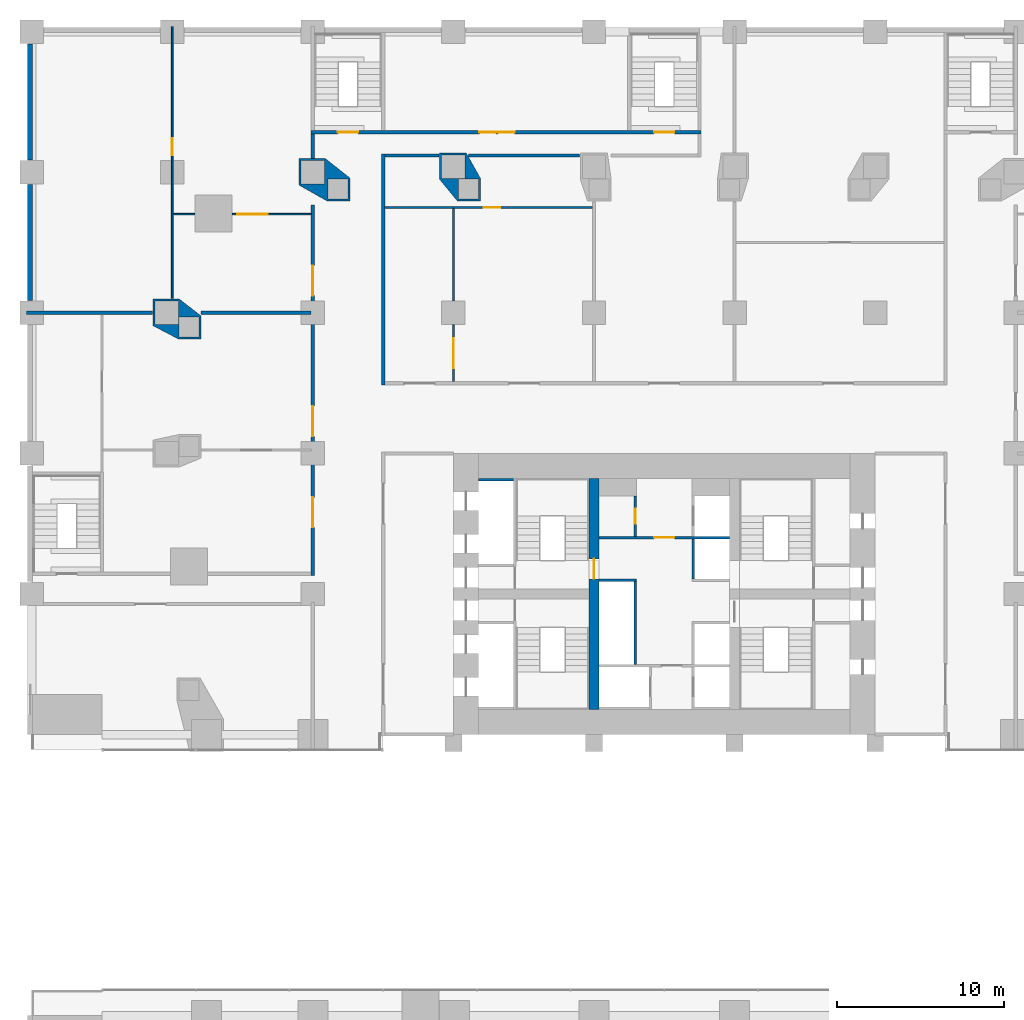
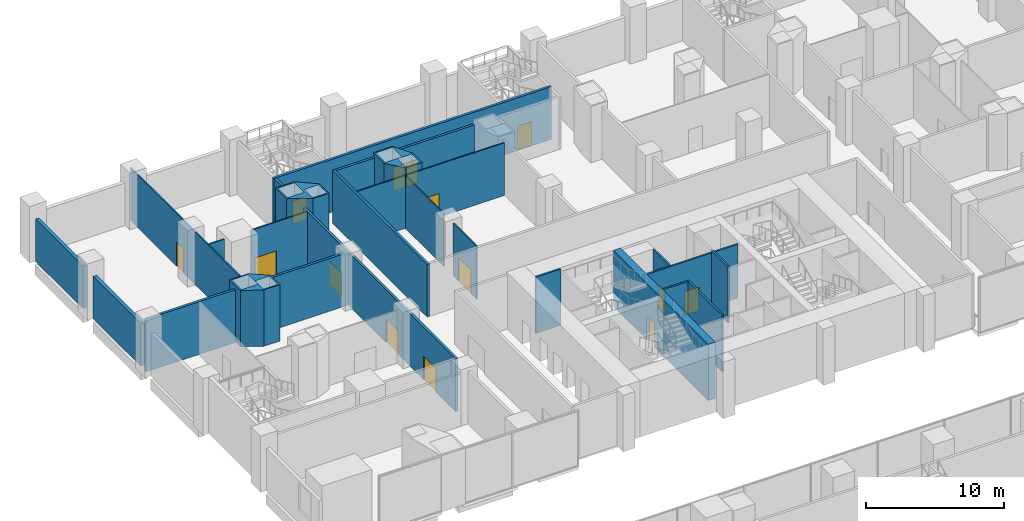
# One storey, part 13 of 24: 26 walls, 14 doors, 14 openings.
"""IFC4 building model written with IfcOpenShell, lengths in metres."""

from ifc_helpers import new_model, si_unit, direction, frame, frame_2d, origin, place, context, subcontext, project, spatial, polyline, rectangle, outline, extrude, material, layer, layer_set, type_object, element, fill, save


model = new_model("IFC4")

# Units and contexts
model_context = context("Model", 3, precision=1e-05, world=origin(), true_north=direction((0.0, 1.0)))
body_context = subcontext(model_context, "Body", "Model", "MODEL_VIEW")
ifc_project = project(units=[si_unit("LENGTHUNIT", "METRE"), si_unit("AREAUNIT", "SQUARE_METRE"), si_unit("VOLUMEUNIT", "CUBIC_METRE"), si_unit("PLANEANGLEUNIT", "RADIAN"), si_unit("MASSUNIT", "GRAM", prefix="KILO")], contexts=[model_context])

# Site, building, storey
site_placement = place(None, origin())
site = spatial("IfcSite", under=ifc_project, at=site_placement, CompositionType="ELEMENT")
building_placement = place(site_placement, origin())
building = spatial("IfcBuilding", under=site, at=building_placement, Name="Marenta Gate Hotel Tower", CompositionType="ELEMENT")
storey_placement = place(building_placement, frame((0.0, 0.0, 8.0)))
storey = spatial("IfcBuildingStorey", under=building, at=storey_placement, Name="L01", CompositionType="ELEMENT", Elevation=8.0)

# Walls
ifc_material_1 = material(Name="Concrete C40 board-marked", Category="concrete")
ifc_layer_1 = layer(ifc_material_1, 0.300048828125)
ifc_layer_set_1 = layer_set([ifc_layer_1], Name="Concrete C40 board-marked")
wall_type_1 = type_object("IfcWallType", Name="Board-marked concrete wall 300 mm", PredefinedType="NOTDEFINED", material=ifc_layer_set_1)
wall_1_placement = place(storey_placement, frame((-37.889892578125, 41.260009765625, 0.0), z_axis=(0.0, 0.0, 1.0), x_axis=(0.0, -1.0, 0.0)))
element("IfcWall", 1, at=wall_1_placement, inside=storey, type_object=wall_type_1, Name="L01-CLD-NB-W000", PredefinedType="NOTDEFINED", context=body_context, shape_type="SweptSolid", body=[
    extrude(rectangle(XDim=6.919921875, YDim=0.300048828125, at=frame_2d((3.4599609375, 0.0))), origin(), (0.0, 0.0, 1.0), 3.780029296875),
])
wall_2_placement = place(storey_placement, frame((-37.889892578125, 32.860107421875, 0.0), z_axis=(0.0, 0.0, 1.0), x_axis=(0.0, -1.0, 0.0)))
element("IfcWall", 2, at=wall_2_placement, inside=storey, type_object=wall_type_1, Name="L01-CLD-NB-W001", PredefinedType="NOTDEFINED", context=body_context, shape_type="SweptSolid", body=[
    extrude(rectangle(XDim=6.920166015625, YDim=0.300048828125, at=frame_2d((3.4599609375, 0.0))), origin(), (0.0, 0.0, 1.0), 3.780029296875),
])

# Wall, opening, door
ifc_material_2 = material(Name="Concrete blockwork", Category="masonry")
ifc_layer_2 = layer(ifc_material_2, 0.14990234375)
ifc_layer_set_2 = layer_set([ifc_layer_2], Name="Concrete blockwork")
wall_type_2 = type_object("IfcWallType", Name="Core lobby partition 150 REI 180", PredefinedType="PARTITIONING", material=ifc_layer_set_2)
wall_3_placement = place(storey_placement, frame((-3.89990234375, 11.77490234375, 0.0), z_axis=(0.0, 0.0, 1.0), x_axis=(1.0, 0.0, 0.0)))
wall_3 = element("IfcWall", 3, at=wall_3_placement, inside=storey, type_object=wall_type_2, Name="L01-CP-CW-N", PredefinedType="PARTITIONING", context=body_context, shape_type="SweptSolid", body=[
    extrude(rectangle(XDim=7.7998046875, YDim=0.14990234375, at=frame_2d((3.89990234375, 0.0))), origin(), (0.0, 0.0, 1.0), 4.780029296875),
])
opening_1_placement = place(wall_3_placement, frame((3.300048828125, 0.0, 0.0)))
opening_1 = element("IfcOpeningElement", 4, at=opening_1_placement, cuts=wall_3, Name="Opening FD-FFN", PredefinedType="OPENING", context=body_context, shape_type="SweptSolid", body=[
    extrude(rectangle(XDim=1.199951171875, YDim=2.10009765625, at=frame_2d((0.60009765625, 1.050048828125))), frame((0.0, 0.074951171875, 0.0), z_axis=(0.0, -1.0, 0.0), x_axis=(1.0, 0.0, 0.0)), (0.0, 0.0, 1.0), 0.14990234375),
])
ifc_material_3 = material(Name="Steel", Category="steel")
door_type_1 = type_object("IfcDoorType", Name="Core lobby door 1200x2100 FD60", OperationType="SINGLE_SWING_LEFT", PredefinedType="DOOR", material=ifc_material_3)
door_1_placement = place(opening_1_placement, origin())
door_1 = element("IfcDoor", 5, at=door_1_placement, inside=storey, type_object=door_type_1, Name="FD-FFN", OperationType="SINGLE_SWING_LEFT", OverallHeight=2.10009765625, OverallWidth=1.199951171875, PredefinedType="DOOR", context=body_context, shape_type="SweptSolid", body=[
    extrude(rectangle(XDim=1.199951171875, YDim=2.10009765625, at=frame_2d((0.60009765625, 1.050048828125))), frame((0.0, 0.02490234375, 0.0), z_axis=(0.0, -1.0, 0.0), x_axis=(1.0, 0.0, 0.0)), (0.0, 0.0, 1.0), 0.050048828125),
])
fill(opening_1, door_1)

ifc_material_4 = material(Name="Concrete blockwork", Category="masonry")
ifc_layer_3 = layer(ifc_material_4, 0.14990234375)
ifc_layer_set_3 = layer_set([ifc_layer_3], Name="Concrete blockwork")
wall_type_3 = type_object("IfcWallType", Name="Core room partition 150 REI 180", PredefinedType="PARTITIONING", material=ifc_layer_set_3)
wall_4_placement = place(storey_placement, frame((-1.72509765625, 11.85009765625, 0.0), z_axis=(0.0, 0.0, 1.0), x_axis=(0.0, 1.0, 0.0)))
wall_4 = element("IfcWall", 6, at=wall_4_placement, inside=storey, type_object=wall_type_3, Name="L01-CP-CW-W-riser-front", PredefinedType="PARTITIONING", context=body_context, shape_type="SweptSolid", body=[
    extrude(rectangle(XDim=2.39990234375, YDim=0.14990234375, at=frame_2d((1.199951171875, 0.0))), origin(), (0.0, 0.0, 1.0), 4.780029296875),
])
opening_2_placement = place(wall_4_placement, frame((0.75, 0.0, 0.0)))
opening_2 = element("IfcOpeningElement", 7, at=opening_2_placement, cuts=wall_4, Name="Opening RD-CRISER", PredefinedType="OPENING", context=body_context, shape_type="SweptSolid", body=[
    extrude(rectangle(XDim=0.89990234375, YDim=2.10009765625, at=frame_2d((0.449951171875, 1.050048828125))), frame((0.0, 0.074951171875, 0.0), z_axis=(0.0, -1.0, 0.0), x_axis=(1.0, 0.0, 0.0)), (0.0, 0.0, 1.0), 0.14990234375),
])
ifc_material_5 = material(Name="Steel", Category="steel")
door_type_2 = type_object("IfcDoorType", Name="Core riser door 900x2100 FD60", OperationType="SINGLE_SWING_LEFT", PredefinedType="DOOR", material=ifc_material_5)
door_2_placement = place(opening_2_placement, origin())
door_2 = element("IfcDoor", 8, at=door_2_placement, inside=storey, type_object=door_type_2, Name="RD-CRISER", OperationType="SINGLE_SWING_LEFT", OverallHeight=2.10009765625, OverallWidth=0.89990234375, PredefinedType="DOOR", context=body_context, shape_type="SweptSolid", body=[
    extrude(rectangle(XDim=0.89990234375, YDim=2.10009765625, at=frame_2d((0.449951171875, 1.050048828125))), frame((0.0, 0.02490234375, 0.0), z_axis=(0.0, -1.0, 0.0), x_axis=(1.0, 0.0, 0.0)), (0.0, 0.0, 1.0), 0.050048828125),
])
fill(opening_2, door_2)

# Walls
ifc_material_6 = material(Name="Concrete C40", Category="concrete")
ifc_layer_4 = layer(ifc_material_6, 0.14990234375)
ifc_layer_set_4 = layer_set([ifc_layer_4], Name="Concrete C40")
wall_type_4 = type_object("IfcWallType", Name="Core shaft wall 150 REI 180", PredefinedType="SHEAR", material=ifc_layer_set_4)
wall_5_placement = place(storey_placement, frame((-11.10009765625, 15.22509765625, 0.0), z_axis=(0.0, 0.0, 1.0), x_axis=(1.0, 0.0, 0.0)))
element("IfcWall", 9, at=wall_5_placement, inside=storey, type_object=wall_type_4, Name="L01-SHF-SW-WN-5", PredefinedType="SHEAR", context=body_context, shape_type="SweptSolid", body=[
    extrude(rectangle(XDim=2.10009765625, YDim=0.14990234375, at=frame_2d((1.050048828125, 0.0))), origin(), (0.0, 0.0, 1.0), 5.0),
])
wall_6_placement = place(storey_placement, frame((-1.72509765625, 4.199951171875, 0.0), z_axis=(0.0, 0.0, 1.0), x_axis=(0.0, 1.0, 0.0)))
element("IfcWall", 10, at=wall_6_placement, inside=storey, type_object=wall_type_4, Name="L01-SHF-CW-W-front", PredefinedType="SHEAR", context=body_context, shape_type="SweptSolid", body=[
    extrude(rectangle(XDim=4.949951171875, YDim=0.14990234375, at=frame_2d((2.47509765625, 0.0))), origin(), (0.0, 0.0, 1.0), 5.0),
])
wall_7_placement = place(storey_placement, frame((-3.89990234375, 9.22509765625, 0.0), z_axis=(0.0, 0.0, 1.0), x_axis=(1.0, 0.0, 0.0)))
element("IfcWall", 11, at=wall_7_placement, inside=storey, type_object=wall_type_4, Name="L01-SHF-CW-W-sep", PredefinedType="SHEAR", context=body_context, shape_type="SweptSolid", body=[
    extrude(rectangle(XDim=2.25, YDim=0.14990234375, at=frame_2d((1.125, 0.0))), origin(), (0.0, 0.0, 1.0), 5.0),
])
wall_8_placement = place(storey_placement, frame((1.72509765625, 9.300048828125, 0.0), z_axis=(0.0, 0.0, 1.0), x_axis=(0.0, 1.0, 0.0)))
element("IfcWall", 12, at=wall_8_placement, inside=storey, type_object=wall_type_4, Name="L01-SHF-CE-front-2", PredefinedType="SHEAR", context=body_context, shape_type="SweptSolid", body=[
    extrude(rectangle(XDim=2.39990234375, YDim=0.14990234375, at=frame_2d((1.199951171875, 0.0))), origin(), (0.0, 0.0, 1.0), 5.0),
])

# Wall, opening, door
ifc_material_7 = material(Name="Concrete C80", Category="concrete")
ifc_layer_5 = layer(ifc_material_7, 0.60009765625)
ifc_layer_set_5 = layer_set([ifc_layer_5], Name="Concrete C80")
wall_type_5 = type_object("IfcWallType", Name="Core web 600 C80", PredefinedType="SHEAR", material=ifc_layer_set_5)
wall_9_placement = place(storey_placement, frame((-4.199951171875, 1.5, 0.0), z_axis=(0.0, 0.0, 1.0), x_axis=(0.0, 1.0, 0.0)))
wall_9 = element("IfcWall", 13, at=wall_9_placement, inside=storey, type_object=wall_type_5, Name="L01-CORE-W1", PredefinedType="SHEAR", context=body_context, shape_type="SweptSolid", body=[
    extrude(rectangle(XDim=13.800048828125, YDim=0.60009765625, at=frame_2d((6.89990234375, 0.0))), origin(), (0.0, 0.0, 1.0), 5.0),
])
opening_3_placement = place(wall_9_placement, frame((7.800048828125, 0.0, 0.0)))
opening_3 = element("IfcOpeningElement", 14, at=opening_3_placement, cuts=wall_9, Name="Opening WD-W", PredefinedType="OPENING", context=body_context, shape_type="SweptSolid", body=[
    extrude(rectangle(XDim=1.199951171875, YDim=2.10009765625, at=frame_2d((0.60009765625, 1.050048828125))), frame((0.0, 0.300048828125, 0.0), z_axis=(0.0, -1.0, 0.0), x_axis=(1.0, 0.0, 0.0)), (0.0, 0.0, 1.0), 0.60009765625),
])
ifc_material_8 = material(Name="Steel", Category="steel")
door_type_3 = type_object("IfcDoorType", Name="Core stair door 1200x2100 FD60", OperationType="SINGLE_SWING_LEFT", PredefinedType="DOOR", material=ifc_material_8)
door_3_placement = place(opening_3_placement, origin())
door_3 = element("IfcDoor", 15, at=door_3_placement, inside=storey, type_object=door_type_3, Name="WD-W", OperationType="SINGLE_SWING_LEFT", OverallHeight=2.10009765625, OverallWidth=1.199951171875, PredefinedType="DOOR", context=body_context, shape_type="SweptSolid", body=[
    extrude(rectangle(XDim=1.199951171875, YDim=2.10009765625, at=frame_2d((0.60009765625, 1.050048828125))), frame((0.0, 0.02490234375, 0.0), z_axis=(0.0, -1.0, 0.0), x_axis=(1.0, 0.0, 0.0)), (0.0, 0.0, 1.0), 0.050048828125),
])
fill(opening_3, door_3)

# Walls
ifc_material_9 = material(Name="Concrete C70", Category="concrete")
ifc_layer_6 = layer(ifc_material_9, 1.60009765625)
ifc_layer_set_6 = layer_set([ifc_layer_6], Name="Concrete C70")
wall_type_6 = type_object("IfcWallType", Name="Pier wall board-marked concrete C70", PredefinedType="SOLIDWALL", material=ifc_layer_set_6)
wall_10_placement = place(storey_placement, origin())
element("IfcWall", 16, at=wall_10_placement, inside=storey, type_object=wall_type_6, Name="L01-PIER-3", PredefinedType="SOLIDWALL", context=body_context, shape_type="SweptSolid", body=[
    extrude(outline(polyline([(-30.5400390625, 24.427490234375), (-30.5400390625, 26.02001953125), (-28.97900390625, 26.02001953125), (-27.679931640625, 25.015380859375), (-27.679931640625, 23.636474609375), (-29.029541015625, 23.636474609375), (-30.5400390625, 24.427490234375)]), holes=[polyline([(-29.0, 23.75634765625), (-27.800048828125, 23.75634765625), (-27.800048828125, 24.956298828125), (-29.0, 24.956298828125), (-29.0, 23.75634765625)]), polyline([(-30.419921875, 24.5), (-29.02001953125, 24.5), (-29.02001953125, 25.89990234375), (-30.419921875, 25.89990234375), (-30.419921875, 24.5)])]), origin(), (0.0, 0.0, 1.0), 5.0),
])
wall_11_placement = place(storey_placement, origin())
element("IfcWall", 17, at=wall_11_placement, inside=storey, type_object=wall_type_6, Name="L01-PIER-4", PredefinedType="SOLIDWALL", context=body_context, shape_type="SweptSolid", body=[
    extrude(outline(polyline([(-21.820068359375, 34.419921875), (-20.25830078125, 34.419921875), (-18.786865234375, 33.258056640625), (-18.786865234375, 31.8798828125), (-20.138427734375, 31.8798828125), (-21.820068359375, 32.830078125), (-21.820068359375, 34.419921875)]), holes=[polyline([(-18.906982421875, 32.0), (-18.906982421875, 33.199951171875), (-20.10693359375, 33.199951171875), (-20.10693359375, 32.0), (-18.906982421875, 32.0)]), polyline([(-20.300048828125, 32.89990234375), (-20.300048828125, 34.300048828125), (-21.699951171875, 34.300048828125), (-21.699951171875, 32.89990234375), (-20.300048828125, 32.89990234375)])]), origin(), (0.0, 0.0, 1.0), 5.0),
])
wall_12_placement = place(storey_placement, origin())
element("IfcWall", 18, at=wall_12_placement, inside=storey, type_object=wall_type_6, Name="L01-PIER-5", PredefinedType="SOLIDWALL", context=body_context, shape_type="SweptSolid", body=[
    extrude(outline(polyline([(-13.419921875, 34.739990234375), (-11.82958984375, 34.739990234375), (-10.984130859375, 33.2314453125), (-10.984130859375, 31.8798828125), (-12.361083984375, 31.8798828125), (-13.419921875, 33.17724609375), (-13.419921875, 34.739990234375)]), holes=[polyline([(-11.10400390625, 32.0), (-11.10400390625, 33.199951171875), (-12.30419921875, 33.199951171875), (-12.30419921875, 32.0), (-11.10400390625, 32.0)]), polyline([(-11.89990234375, 33.219970703125), (-11.89990234375, 34.6201171875), (-13.300048828125, 34.6201171875), (-13.300048828125, 33.219970703125), (-11.89990234375, 33.219970703125)])]), origin(), (0.0, 0.0, 1.0), 5.0),
])
ifc_material_10 = material(Name="Gypsum board on steel stud", Category="steel")
ifc_layer_7 = layer(ifc_material_10, 0.199951171875)
ifc_layer_set_7 = layer_set([ifc_layer_7], Name="Gypsum board on steel stud")
wall_type_7 = type_object("IfcWallType", Name="Room corridor wall 200 EI 60", PredefinedType="PARTITIONING", material=ifc_layer_set_7)
wall_13_placement = place(storey_placement, frame((-16.800048828125, 20.89990234375, 0.0), z_axis=(0.0, 0.0, 1.0), x_axis=(0.0, 1.0, 0.0)))
element("IfcWall", 19, at=wall_13_placement, inside=storey, type_object=wall_type_7, Name="L01-PTN-W042", PredefinedType="PARTITIONING", context=body_context, shape_type="SweptSolid", body=[
    extrude(rectangle(XDim=13.800048828125, YDim=0.199951171875, at=frame_2d((6.89990234375, 0.0))), origin(), (0.0, 0.0, 1.0), 4.679931640625),
])

# Wall, openings, doors
wall_14_placement = place(storey_placement, frame((-21.0, 9.5, 0.0), z_axis=(0.0, 0.0, 1.0), x_axis=(0.0, 1.0, 0.0)))
wall_14 = element("IfcWall", 20, at=wall_14_placement, inside=storey, type_object=wall_type_7, Name="L01-PTN-W050", PredefinedType="PARTITIONING", context=body_context, shape_type="SweptSolid", body=[
    extrude(rectangle(XDim=22.135009765625, YDim=0.199951171875, at=frame_2d((11.0673828125, 0.0))), origin(), (0.0, 0.0, 1.0), 4.679931640625),
])
opening_4_placement = place(wall_14_placement, frame((8.324951171875, 0.0, 0.0)))
opening_4 = element("IfcOpeningElement", 21, at=opening_4_placement, cuts=wall_14, Name="Opening S02-04", PredefinedType="OPENING", context=body_context, shape_type="SweptSolid", body=[
    extrude(rectangle(XDim=1.800048828125, YDim=2.10009765625, at=frame_2d((0.89990234375, 1.050048828125))), frame((0.0, 0.10009765625, 0.0), z_axis=(0.0, -1.0, 0.0), x_axis=(1.0, 0.0, 0.0)), (0.0, 0.0, 1.0), 0.199951171875),
])
opening_5_placement = place(wall_14_placement, frame((2.875, 0.0, 0.0)))
opening_5 = element("IfcOpeningElement", 22, at=opening_5_placement, cuts=wall_14, Name="Opening S02-05", PredefinedType="OPENING", context=body_context, shape_type="SweptSolid", body=[
    extrude(rectangle(XDim=1.800048828125, YDim=2.10009765625, at=frame_2d((0.89990234375, 1.050048828125))), frame((0.0, 0.10009765625, 0.0), z_axis=(0.0, -1.0, 0.0), x_axis=(1.0, 0.0, 0.0)), (0.0, 0.0, 1.0), 0.199951171875),
])
opening_6_placement = place(wall_14_placement, frame((16.72509765625, 0.0, 0.0)))
opening_6 = element("IfcOpeningElement", 23, at=opening_6_placement, cuts=wall_14, Name="Opening S02-07", PredefinedType="OPENING", context=body_context, shape_type="SweptSolid", body=[
    extrude(rectangle(XDim=1.800048828125, YDim=2.10009765625, at=frame_2d((0.89990234375, 1.050048828125))), frame((0.0, 0.10009765625, 0.0), z_axis=(0.0, -1.0, 0.0), x_axis=(1.0, 0.0, 0.0)), (0.0, 0.0, 1.0), 0.199951171875),
])
ifc_material_11 = material(Name="Timber door leaf", Category="wood")
door_type_4 = type_object("IfcDoorType", Name="Room amenity door 1800x2100 EI 30", OperationType="DOUBLE_DOOR_SINGLE_SWING", PredefinedType="DOOR", material=ifc_material_11)
door_4_placement = place(opening_4_placement, origin())
door_4 = element("IfcDoor", 24, at=door_4_placement, inside=storey, type_object=door_type_4, Name="L01-PD-D004", OperationType="DOUBLE_DOOR_SINGLE_SWING", OverallHeight=2.10009765625, OverallWidth=1.800048828125, PredefinedType="DOOR", context=body_context, shape_type="SweptSolid", body=[
    extrude(rectangle(XDim=1.800048828125, YDim=2.10009765625, at=frame_2d((0.89990234375, 1.050048828125))), frame((0.0, 0.02490234375, 0.0), z_axis=(0.0, -1.0, 0.0), x_axis=(1.0, 0.0, 0.0)), (0.0, 0.0, 1.0), 0.050048828125),
])
fill(opening_4, door_4)
door_5_placement = place(opening_5_placement, origin())
door_5 = element("IfcDoor", 25, at=door_5_placement, inside=storey, type_object=door_type_4, Name="L01-PD-D005", OperationType="DOUBLE_DOOR_SINGLE_SWING", OverallHeight=2.10009765625, OverallWidth=1.800048828125, PredefinedType="DOOR", context=body_context, shape_type="SweptSolid", body=[
    extrude(rectangle(XDim=1.800048828125, YDim=2.10009765625, at=frame_2d((0.89990234375, 1.050048828125))), frame((0.0, 0.02490234375, 0.0), z_axis=(0.0, -1.0, 0.0), x_axis=(1.0, 0.0, 0.0)), (0.0, 0.0, 1.0), 0.050048828125),
])
fill(opening_5, door_5)
door_6_placement = place(opening_6_placement, origin())
door_6 = element("IfcDoor", 26, at=door_6_placement, inside=storey, type_object=door_type_4, Name="L01-PD-D007", OperationType="DOUBLE_DOOR_SINGLE_SWING", OverallHeight=2.10009765625, OverallWidth=1.800048828125, PredefinedType="DOOR", context=body_context, shape_type="SweptSolid", body=[
    extrude(rectangle(XDim=1.800048828125, YDim=2.10009765625, at=frame_2d((0.89990234375, 1.050048828125))), frame((0.0, 0.02490234375, 0.0), z_axis=(0.0, -1.0, 0.0), x_axis=(1.0, 0.0, 0.0)), (0.0, 0.0, 1.0), 0.050048828125),
])
fill(opening_6, door_6)

# Walls
wall_15_placement = place(storey_placement, frame((-21.0, 34.419921875, 0.0), z_axis=(0.0, 0.0, 1.0), x_axis=(0.0, 1.0, 0.0)))
element("IfcWall", 27, at=wall_15_placement, inside=storey, type_object=wall_type_7, Name="L01-PTN-W051", PredefinedType="PARTITIONING", context=body_context, shape_type="SweptSolid", body=[
    extrude(rectangle(XDim=1.47998046875, YDim=0.199951171875, at=frame_2d((0.739990234375, 0.0))), origin(), (0.0, 0.0, 1.0), 4.679931640625),
])
ifc_material_12 = material(Name="Concrete blockwork", Category="masonry")
ifc_layer_8 = layer(ifc_material_12, 0.199951171875)
ifc_layer_set_8 = layer_set([ifc_layer_8], Name="Concrete blockwork")
wall_type_8 = type_object("IfcWallType", Name="Room corridor wall 200 REI 180", PredefinedType="PARTITIONING", material=ifc_layer_set_8)
wall_16_placement = place(storey_placement, frame((-16.699951171875, 34.60009765625, 0.0), z_axis=(0.0, 0.0, 1.0), x_axis=(1.0, 0.0, 0.0)))
element("IfcWall", 28, at=wall_16_placement, inside=storey, type_object=wall_type_8, Name="L01-PTN-W071", PredefinedType="PARTITIONING", context=body_context, shape_type="SweptSolid", body=[
    extrude(rectangle(XDim=3.22998046875, YDim=0.199951171875, at=frame_2d((1.614990234375, 0.0))), origin(), (0.0, 0.0, 1.0), 4.679931640625),
])
wall_17_placement = place(storey_placement, frame((-11.694091796875, 34.60009765625, 0.0), z_axis=(0.0, 0.0, 1.0), x_axis=(1.0, 0.0, 0.0)))
element("IfcWall", 29, at=wall_17_placement, inside=storey, type_object=wall_type_8, Name="L01-PTN-W072", PredefinedType="PARTITIONING", context=body_context, shape_type="SweptSolid", body=[
    extrude(rectangle(XDim=6.6240234375, YDim=0.199951171875, at=frame_2d((3.31201171875, 0.0))), origin(), (0.0, 0.0, 1.0), 4.679931640625),
])

# Wall, openings, doors
wall_18_placement = place(storey_placement, frame((-21.10009765625, 36.0, 0.0), z_axis=(0.0, 0.0, 1.0), x_axis=(1.0, 0.0, 0.0)))
wall_18 = element("IfcWall", 30, at=wall_18_placement, inside=storey, type_object=wall_type_8, Name="L01-PTN-W074", PredefinedType="PARTITIONING", context=body_context, shape_type="SweptSolid", body=[
    extrude(rectangle(XDim=23.300048828125, YDim=0.199951171875, at=frame_2d((11.64990234375, 0.0))), origin(), (0.0, 0.0, 1.0), 4.679931640625),
])
opening_7_placement = place(wall_18_placement, frame((1.60009765625, 0.0, 0.0)))
opening_7 = element("IfcOpeningElement", 31, at=opening_7_placement, cuts=wall_18, Name="Opening S02-01", PredefinedType="OPENING", context=body_context, shape_type="SweptSolid", body=[
    extrude(rectangle(XDim=1.199951171875, YDim=2.10009765625, at=frame_2d((0.60009765625, 1.050048828125))), frame((0.0, 0.10009765625, 0.0), z_axis=(0.0, -1.0, 0.0), x_axis=(1.0, 0.0, 0.0)), (0.0, 0.0, 1.0), 0.199951171875),
])
opening_8_placement = place(wall_18_placement, frame((11.14990234375, 0.0, 0.0)))
opening_8 = element("IfcOpeningElement", 32, at=opening_8_placement, cuts=wall_18, Name="Opening S02-20", PredefinedType="OPENING", context=body_context, shape_type="SweptSolid", body=[
    extrude(rectangle(XDim=1.0, YDim=2.10009765625, at=frame_2d((0.5, 1.050048828125))), frame((0.0, 0.10009765625, 0.0), z_axis=(0.0, -1.0, 0.0), x_axis=(1.0, 0.0, 0.0)), (0.0, 0.0, 1.0), 0.199951171875),
])
opening_9_placement = place(wall_18_placement, frame((10.050048828125, 0.0, 0.0)))
opening_9 = element("IfcOpeningElement", 33, at=opening_9_placement, cuts=wall_18, Name="Opening S02-21", PredefinedType="OPENING", context=body_context, shape_type="SweptSolid", body=[
    extrude(rectangle(XDim=1.0, YDim=2.10009765625, at=frame_2d((0.5, 1.050048828125))), frame((0.0, 0.10009765625, 0.0), z_axis=(0.0, -1.0, 0.0), x_axis=(1.0, 0.0, 0.0)), (0.0, 0.0, 1.0), 0.199951171875),
])
opening_10_placement = place(wall_18_placement, frame((20.5, 0.0, 0.0)))
opening_10 = element("IfcOpeningElement", 34, at=opening_10_placement, cuts=wall_18, Name="Opening S02-38", PredefinedType="OPENING", context=body_context, shape_type="SweptSolid", body=[
    extrude(rectangle(XDim=1.199951171875, YDim=2.10009765625, at=frame_2d((0.60009765625, 1.050048828125))), frame((0.0, 0.10009765625, 0.0), z_axis=(0.0, -1.0, 0.0), x_axis=(1.0, 0.0, 0.0)), (0.0, 0.0, 1.0), 0.199951171875),
])
ifc_material_13 = material(Name="Hollow steel door set", Category="steel")
door_type_5 = type_object("IfcDoorType", Name="Podium stair door 1200x2100 EI 60", OperationType="NOTDEFINED", PredefinedType="DOOR", material=ifc_material_13)
door_7_placement = place(opening_7_placement, origin())
door_7 = element("IfcDoor", 35, at=door_7_placement, inside=storey, type_object=door_type_5, Name="L01-PD-D001", OperationType="SINGLE_SWING_RIGHT", OverallHeight=2.10009765625, OverallWidth=1.199951171875, PredefinedType="DOOR", context=body_context, shape_type="SweptSolid", body=[
    extrude(rectangle(XDim=1.199951171875, YDim=2.10009765625, at=frame_2d((0.60009765625, 1.050048828125))), frame((0.0, 0.02490234375, 0.0), z_axis=(0.0, -1.0, 0.0), x_axis=(1.0, 0.0, 0.0)), (0.0, 0.0, 1.0), 0.050048828125),
])
fill(opening_7, door_7)
door_8_placement = place(opening_10_placement, origin())
door_8 = element("IfcDoor", 36, at=door_8_placement, inside=storey, type_object=door_type_5, Name="L01-PD-D038", OperationType="SINGLE_SWING_RIGHT", OverallHeight=2.10009765625, OverallWidth=1.199951171875, PredefinedType="DOOR", context=body_context, shape_type="SweptSolid", body=[
    extrude(rectangle(XDim=1.199951171875, YDim=2.10009765625, at=frame_2d((0.60009765625, 1.050048828125))), frame((0.0, 0.02490234375, 0.0), z_axis=(0.0, -1.0, 0.0), x_axis=(1.0, 0.0, 0.0)), (0.0, 0.0, 1.0), 0.050048828125),
])
fill(opening_10, door_8)
ifc_material_14 = material(Name="Timber door leaf", Category="wood")
door_type_6 = type_object("IfcDoorType", Name="Room amenity door 1000x2100 EI 60", OperationType="NOTDEFINED", PredefinedType="DOOR", material=ifc_material_14)
door_9_placement = place(opening_9_placement, origin())
door_9 = element("IfcDoor", 37, at=door_9_placement, inside=storey, type_object=door_type_6, Name="L01-PD-D021", OperationType="SINGLE_SWING_LEFT", OverallHeight=2.10009765625, OverallWidth=1.0, PredefinedType="DOOR", context=body_context, shape_type="SweptSolid", body=[
    extrude(rectangle(XDim=1.0, YDim=2.10009765625, at=frame_2d((0.5, 1.050048828125))), frame((0.0, 0.02490234375, 0.0), z_axis=(0.0, -1.0, 0.0), x_axis=(1.0, 0.0, 0.0)), (0.0, 0.0, 1.0), 0.050048828125),
])
fill(opening_9, door_9)
ifc_material_15 = material(Name="Timber door leaf", Category="wood")
door_type_7 = type_object("IfcDoorType", Name="Room inner door 1000x2100 EI 60", OperationType="NOTDEFINED", PredefinedType="DOOR", material=ifc_material_15)
door_10_placement = place(opening_8_placement, origin())
door_10 = element("IfcDoor", 38, at=door_10_placement, inside=storey, type_object=door_type_7, Name="L01-PD-D020", OperationType="SINGLE_SWING_LEFT", OverallHeight=2.10009765625, OverallWidth=1.0, PredefinedType="DOOR", context=body_context, shape_type="SweptSolid", body=[
    extrude(rectangle(XDim=1.0, YDim=2.10009765625, at=frame_2d((0.5, 1.050048828125))), frame((0.0, 0.02490234375, 0.0), z_axis=(0.0, -1.0, 0.0), x_axis=(1.0, 0.0, 0.0)), (0.0, 0.0, 1.0), 0.050048828125),
])
fill(opening_8, door_10)

# Wall, opening, door
ifc_material_16 = material(Name="Gypsum board on steel stud", Category="steel")
ifc_layer_9 = layer(ifc_material_16, 0.10009765625)
ifc_layer_set_9 = layer_set([ifc_layer_9], Name="Gypsum board on steel stud")
wall_type_9 = type_object("IfcWallType", Name="Room partition 100", PredefinedType="PARTITIONING", material=ifc_layer_set_9)
wall_19_placement = place(storey_placement, frame((-12.60009765625, 21.10009765625, 0.0), z_axis=(0.0, 0.0, 1.0), x_axis=(0.0, 1.0, 0.0)))
wall_19 = element("IfcWall", 39, at=wall_19_placement, inside=storey, type_object=wall_type_9, Name="L01-PTN-W038", PredefinedType="PARTITIONING", context=body_context, shape_type="SweptSolid", body=[
    extrude(rectangle(XDim=3.3798828125, YDim=0.10009765625, at=frame_2d((1.68994140625, 0.0))), origin(), (0.0, 0.0, 1.0), 4.679931640625),
])
opening_11_placement = place(wall_19_placement, frame((0.7900390625, 0.0, 0.0)))
opening_11 = element("IfcOpeningElement", 40, at=opening_11_placement, cuts=wall_19, Name="Opening S02-42", PredefinedType="OPENING", context=body_context, shape_type="SweptSolid", body=[
    extrude(rectangle(XDim=1.800048828125, YDim=2.10009765625, at=frame_2d((0.89990234375, 1.050048828125))), frame((0.0, 0.050048828125, 0.0), z_axis=(0.0, -1.0, 0.0), x_axis=(1.0, 0.0, 0.0)), (0.0, 0.0, 1.0), 0.10009765625),
])
ifc_material_17 = material(Name="Timber door leaf", Category="wood")
door_type_8 = type_object("IfcDoorType", Name="Room amenity door 1800x2100", OperationType="DOUBLE_DOOR_SINGLE_SWING", PredefinedType="DOOR", material=ifc_material_17)
door_11_placement = place(opening_11_placement, origin())
door_11 = element("IfcDoor", 41, at=door_11_placement, inside=storey, type_object=door_type_8, Name="L01-PD-D042", OperationType="DOUBLE_DOOR_SINGLE_SWING", OverallHeight=2.10009765625, OverallWidth=1.800048828125, PredefinedType="DOOR", context=body_context, shape_type="SweptSolid", body=[
    extrude(rectangle(XDim=1.800048828125, YDim=2.10009765625, at=frame_2d((0.89990234375, 1.050048828125))), frame((0.0, 0.02490234375, 0.0), z_axis=(0.0, -1.0, 0.0), x_axis=(1.0, 0.0, 0.0)), (0.0, 0.0, 1.0), 0.050048828125),
])
fill(opening_11, door_11)

# Wall
wall_20_placement = place(storey_placement, frame((-12.60009765625, 25.919921875, 0.0), z_axis=(0.0, 0.0, 1.0), x_axis=(0.0, 1.0, 0.0)))
element("IfcWall", 42, at=wall_20_placement, inside=storey, type_object=wall_type_9, Name="L01-PTN-W039", PredefinedType="PARTITIONING", context=body_context, shape_type="SweptSolid", body=[
    extrude(rectangle(XDim=5.530029296875, YDim=0.10009765625, at=frame_2d((2.76513671875, 0.0))), origin(), (0.0, 0.0, 1.0), 4.679931640625),
])

# Wall, opening, door
wall_21_placement = place(storey_placement, frame((-29.39990234375, 26.070068359375, 0.0), z_axis=(0.0, 0.0, 1.0), x_axis=(0.0, 1.0, 0.0)))
wall_21 = element("IfcWall", 43, at=wall_21_placement, inside=storey, type_object=wall_type_9, Name="L01-PTN-W058", PredefinedType="PARTITIONING", context=body_context, shape_type="SweptSolid", body=[
    extrude(rectangle(XDim=16.22998046875, YDim=0.10009765625, at=frame_2d((8.114990234375, 0.0))), origin(), (0.0, 0.0, 1.0), 4.679931640625),
])
opening_12_placement = place(wall_21_placement, frame((8.554931640625, 0.0, 0.0)))
opening_12 = element("IfcOpeningElement", 44, at=opening_12_placement, cuts=wall_21, Name="Opening S02-08", PredefinedType="OPENING", context=body_context, shape_type="SweptSolid", body=[
    extrude(rectangle(XDim=1.0, YDim=2.10009765625, at=frame_2d((0.5, 1.050048828125))), frame((0.0, 0.050048828125, 0.0), z_axis=(0.0, -1.0, 0.0), x_axis=(1.0, 0.0, 0.0)), (0.0, 0.0, 1.0), 0.10009765625),
])
ifc_material_18 = material(Name="Timber door leaf", Category="wood")
door_type_9 = type_object("IfcDoorType", Name="Room inner door 1000x2100", OperationType="NOTDEFINED", PredefinedType="DOOR", material=ifc_material_18)
door_12_placement = place(opening_12_placement, origin())
door_12 = element("IfcDoor", 45, at=door_12_placement, inside=storey, type_object=door_type_9, Name="L01-PD-D008", OperationType="SINGLE_SWING_LEFT", OverallHeight=2.10009765625, OverallWidth=1.0, PredefinedType="DOOR", context=body_context, shape_type="SweptSolid", body=[
    extrude(rectangle(XDim=1.0, YDim=2.10009765625, at=frame_2d((0.5, 1.050048828125))), frame((0.0, 0.02490234375, 0.0), z_axis=(0.0, -1.0, 0.0), x_axis=(1.0, 0.0, 0.0)), (0.0, 0.0, 1.0), 0.050048828125),
])
fill(opening_12, door_12)

# Wall
wall_22_placement = place(storey_placement, frame((-29.35009765625, 31.10009765625, 0.0), z_axis=(0.0, 0.0, 1.0), x_axis=(1.0, 0.0, 0.0)))
element("IfcWall", 46, at=wall_22_placement, inside=storey, type_object=wall_type_9, Name="L01-PTN-W060", PredefinedType="PARTITIONING", context=body_context, shape_type="SweptSolid", body=[
    extrude(rectangle(XDim=1.294189453125, YDim=0.10009765625, at=frame_2d((0.64697265625, 0.0))), origin(), (0.0, 0.0, 1.0), 4.679931640625),
])

# Wall, opening, door
wall_23_placement = place(storey_placement, frame((-25.81591796875, 31.10009765625, 0.0), z_axis=(0.0, 0.0, 1.0), x_axis=(1.0, 0.0, 0.0)))
wall_23 = element("IfcWall", 47, at=wall_23_placement, inside=storey, type_object=wall_type_9, Name="L01-PTN-W061", PredefinedType="PARTITIONING", context=body_context, shape_type="SweptSolid", body=[
    extrude(rectangle(XDim=4.7158203125, YDim=0.10009765625, at=frame_2d((2.35791015625, 0.0))), origin(), (0.0, 0.0, 1.0), 4.679931640625),
])
opening_13_placement = place(wall_23_placement, frame((0.30810546875, 0.0, 0.0)))
opening_13 = element("IfcOpeningElement", 48, at=opening_13_placement, cuts=wall_23, Name="Opening S02-40", PredefinedType="OPENING", context=body_context, shape_type="SweptSolid", body=[
    extrude(rectangle(XDim=1.800048828125, YDim=2.10009765625, at=frame_2d((0.89990234375, 1.050048828125))), frame((0.0, 0.050048828125, 0.0), z_axis=(0.0, -1.0, 0.0), x_axis=(1.0, 0.0, 0.0)), (0.0, 0.0, 1.0), 0.10009765625),
])
door_13_placement = place(opening_13_placement, origin())
door_13 = element("IfcDoor", 49, at=door_13_placement, inside=storey, type_object=door_type_8, Name="L01-PD-D040", OperationType="DOUBLE_DOOR_SINGLE_SWING", OverallHeight=2.10009765625, OverallWidth=1.800048828125, PredefinedType="DOOR", context=body_context, shape_type="SweptSolid", body=[
    extrude(rectangle(XDim=1.800048828125, YDim=2.10009765625, at=frame_2d((0.89990234375, 1.050048828125))), frame((0.0, 0.02490234375, 0.0), z_axis=(0.0, -1.0, 0.0), x_axis=(1.0, 0.0, 0.0)), (0.0, 0.0, 1.0), 0.050048828125),
])
fill(opening_13, door_13)

wall_24_placement = place(storey_placement, frame((-16.699951171875, 31.5, 0.0), z_axis=(0.0, 0.0, 1.0), x_axis=(1.0, 0.0, 0.0)))
wall_24 = element("IfcWall", 50, at=wall_24_placement, inside=storey, type_object=wall_type_9, Name="L01-PTN-W064", PredefinedType="PARTITIONING", context=body_context, shape_type="SweptSolid", body=[
    extrude(rectangle(XDim=12.39990234375, YDim=0.10009765625, at=frame_2d((6.199951171875, 0.0))), origin(), (0.0, 0.0, 1.0), 4.679931640625),
])
opening_14_placement = place(wall_24_placement, frame((5.89990234375, 0.0, 0.0)))
opening_14 = element("IfcOpeningElement", 51, at=opening_14_placement, cuts=wall_24, Name="Opening S02-19", PredefinedType="OPENING", context=body_context, shape_type="SweptSolid", body=[
    extrude(rectangle(XDim=1.0, YDim=2.10009765625, at=frame_2d((0.5, 1.050048828125))), frame((0.0, 0.050048828125, 0.0), z_axis=(0.0, -1.0, 0.0), x_axis=(1.0, 0.0, 0.0)), (0.0, 0.0, 1.0), 0.10009765625),
])
door_14_placement = place(opening_14_placement, origin())
door_14 = element("IfcDoor", 52, at=door_14_placement, inside=storey, type_object=door_type_9, Name="L01-PD-D019", OperationType="SINGLE_SWING_LEFT", OverallHeight=2.10009765625, OverallWidth=1.0, PredefinedType="DOOR", context=body_context, shape_type="SweptSolid", body=[
    extrude(rectangle(XDim=1.0, YDim=2.10009765625, at=frame_2d((0.5, 1.050048828125))), frame((0.0, 0.02490234375, 0.0), z_axis=(0.0, -1.0, 0.0), x_axis=(1.0, 0.0, 0.0)), (0.0, 0.0, 1.0), 0.050048828125),
])
fill(opening_14, door_14)

# Walls
ifc_material_19 = material(Name="Concrete blockwork", Category="masonry")
ifc_layer_10 = layer(ifc_material_19, 0.199951171875)
ifc_layer_set_10 = layer_set([ifc_layer_10], Name="Concrete blockwork")
wall_type_10 = type_object("IfcWallType", Name="Room party wall 200 EI 120", PredefinedType="PARTITIONING", material=ifc_layer_set_10)
wall_25_placement = place(storey_placement, frame((-38.10009765625, 25.199951171875, 0.0), z_axis=(0.0, 0.0, 1.0), x_axis=(1.0, 0.0, 0.0)))
element("IfcWall", 53, at=wall_25_placement, inside=storey, type_object=wall_type_10, Name="L01-PTN-W054", PredefinedType="PARTITIONING", context=body_context, shape_type="SweptSolid", body=[
    extrude(rectangle(XDim=7.510009765625, YDim=0.199951171875, at=frame_2d((3.7548828125, 0.0))), origin(), (0.0, 0.0, 1.0), 4.679931640625),
])
ifc_material_20 = material(Name="Gypsum board on steel stud", Category="steel")
ifc_layer_11 = layer(ifc_material_20, 0.199951171875)
ifc_layer_set_11 = layer_set([ifc_layer_11], Name="Gypsum board on steel stud")
wall_type_11 = type_object("IfcWallType", Name="Room party wall 200 EI 60", PredefinedType="PARTITIONING", material=ifc_layer_set_11)
wall_26_placement = place(storey_placement, frame((-27.679931640625, 25.199951171875, 0.0), z_axis=(0.0, 0.0, 1.0), x_axis=(1.0, 0.0, 0.0)))
element("IfcWall", 54, at=wall_26_placement, inside=storey, type_object=wall_type_11, Name="L01-PTN-W055", PredefinedType="PARTITIONING", context=body_context, shape_type="SweptSolid", body=[
    extrude(rectangle(XDim=6.579833984375, YDim=0.199951171875, at=frame_2d((3.2900390625, 0.0))), origin(), (0.0, 0.0, 1.0), 4.679931640625),
])

save(model, "model.ifc")
